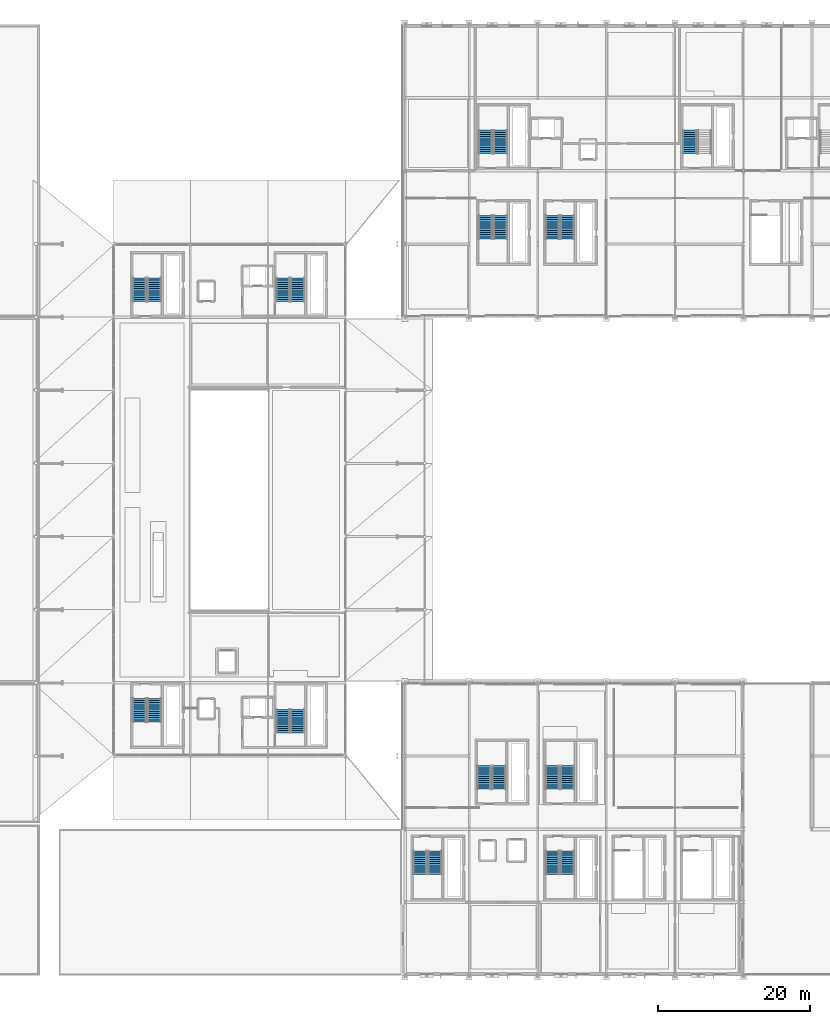
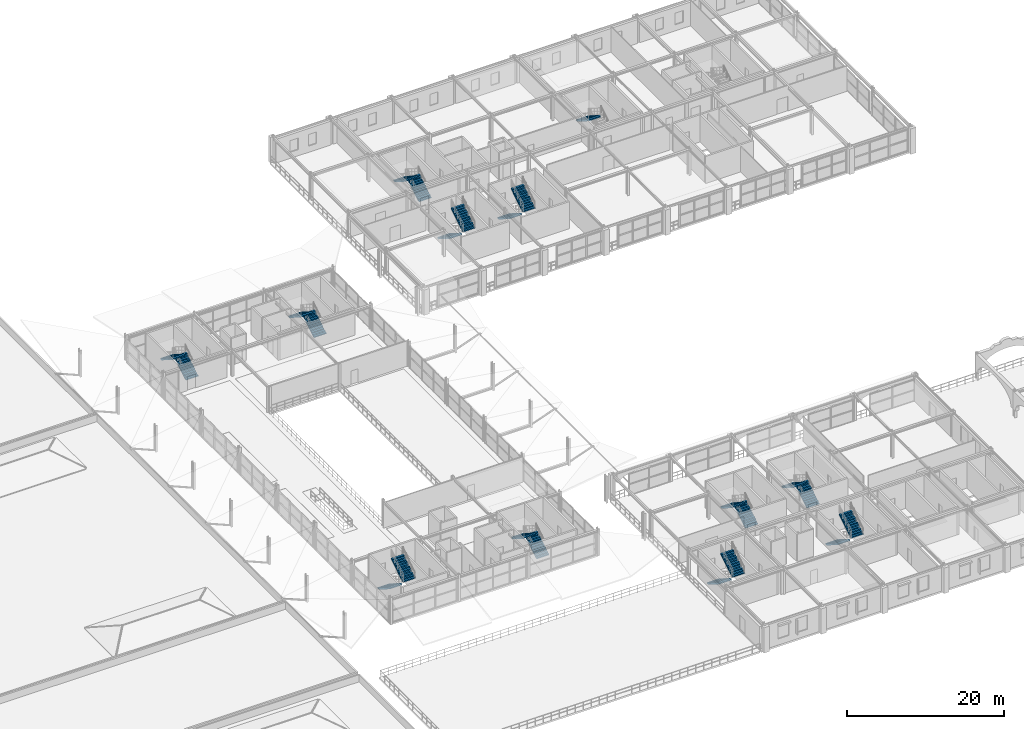
# One storey, part 54 of 81: 23 stair flights, 12 elements without a shape of their own.
"""IFC4 building model written with IfcOpenShell, lengths in metres."""

from ifc_helpers import new_model, si_unit, direction, frame, origin, place, context, subcontext, project, spatial, polyline, outline, extrude, material, type_object, element, aggregate, save


model = new_model("IFC4")

# Units and contexts
model_context = context("Model", 3, precision=1e-05, world=origin(), true_north=direction((0.0, 1.0)))
body_context = subcontext(model_context, "Body", "Model", "MODEL_VIEW")
ifc_project = project(units=[si_unit("LENGTHUNIT", "METRE"), si_unit("AREAUNIT", "SQUARE_METRE"), si_unit("VOLUMEUNIT", "CUBIC_METRE"), si_unit("PLANEANGLEUNIT", "RADIAN"), si_unit("MASSUNIT", "GRAM", prefix="KILO")], contexts=[model_context])

# Site, building, storey
site_placement = place(None, origin())
site = spatial("IfcSite", under=ifc_project, at=site_placement, CompositionType="ELEMENT")
building_placement = place(site_placement, origin())
building = spatial("IfcBuilding", under=site, at=building_placement, Name="Myrtia Square Station", CompositionType="ELEMENT")
storey_placement = place(building_placement, frame((0.0, 0.0, 10.800048828125)))
storey = spatial("IfcBuildingStorey", under=building, at=storey_placement, Name="L02", CompositionType="ELEMENT", Elevation=10.800048828125)

# Stair, stair flights
ifc_material = material(Name="Concrete C35/45", Category="concrete")
stair_type = type_object("IfcStairType", Name="STR-04-24R-1800W", PredefinedType="HALF_TURN_STAIR", material=ifc_material)
stair_1_placement = place(storey_placement, origin())
stair_1 = element("IfcStair", 1, at=stair_1_placement, inside=storey, type_object=stair_type, Name="L02 Core escape stair ST01", PredefinedType="HALF_TURN_STAIR")
stair_flight_type = type_object("IfcStairFlightType", Name="STF-04-12R-1800W", PredefinedType="STRAIGHT", material=ifc_material)
stair_flight_1_placement = place(storey_placement, frame((82.75, 36.35009765625, 0.0), z_axis=(0.0, 0.0, 1.0), x_axis=(0.0, -1.0, 0.0)))
stair_flight_1 = element("IfcStairFlight", 2, at=stair_flight_1_placement, type_object=stair_flight_type, Name="ST01 flight 1", NumberOfRisers=12, NumberOfTreads=11, PredefinedType="STRAIGHT", RiserHeight=0.175, TreadLength=0.28, context=body_context, shape_type="SweptSolid", body=[
    extrude(outline(polyline([(0.0, 0.0), (0.0, 0.175048828125), (0.280029296875, 0.175048828125), (0.280029296875, 0.35009765625), (0.56005859375, 0.35009765625), (0.56005859375, 0.52490234375), (0.840087890625, 0.52490234375), (0.840087890625, 0.699951171875), (1.1201171875, 0.699951171875), (1.1201171875, 0.875), (1.39990234375, 0.875), (1.39990234375, 1.050048828125), (1.679931640625, 1.050048828125), (1.679931640625, 1.22509765625), (1.9599609375, 1.22509765625), (1.9599609375, 1.39990234375), (2.239990234375, 1.39990234375), (2.239990234375, 1.574951171875), (2.52001953125, 1.574951171875), (2.52001953125, 1.75), (2.800048828125, 1.75), (2.800048828125, 1.925048828125), (3.080078125, 1.925048828125), (3.080078125, 2.10009765625), (3.080078125, 1.748291015625), (0.28271484375, 0.0), (0.0, 0.0)])), frame((0.0, 0.89990234375, 0.0), z_axis=(0.0, -1.0, 0.0), x_axis=(1.0, 0.0, 0.0)), (0.0, 0.0, 1.0), 1.800048828125),
])
stair_flight_2_placement = place(storey_placement, frame((84.7099609375, 33.27001953125, 2.099853515625), z_axis=(0.0, 0.0, 1.0), x_axis=(0.0, 1.0, 0.0)))
stair_flight_2 = element("IfcStairFlight", 3, at=stair_flight_2_placement, type_object=stair_flight_type, Name="ST01 flight 2", NumberOfRisers=12, NumberOfTreads=11, PredefinedType="STRAIGHT", RiserHeight=0.175, TreadLength=0.28, context=body_context, shape_type="SweptSolid", body=[
    extrude(outline(polyline([(0.0, 0.0), (0.0, 0.175048828125), (0.280029296875, 0.175048828125), (0.280029296875, 0.35009765625), (0.56005859375, 0.35009765625), (0.56005859375, 0.52490234375), (0.840087890625, 0.52490234375), (0.840087890625, 0.699951171875), (1.1201171875, 0.699951171875), (1.1201171875, 0.875), (1.39990234375, 0.875), (1.39990234375, 1.050048828125), (1.679931640625, 1.050048828125), (1.679931640625, 1.22509765625), (1.9599609375, 1.22509765625), (1.9599609375, 1.39990234375), (2.239990234375, 1.39990234375), (2.239990234375, 1.574951171875), (2.52001953125, 1.574951171875), (2.52001953125, 1.75), (2.800048828125, 1.75), (2.800048828125, 1.925048828125), (3.080078125, 1.925048828125), (3.080078125, 2.10009765625), (3.080078125, 1.748291015625), (0.28271484375, 0.0), (0.0, 0.0)])), frame((0.0, 0.89990234375, 0.0), z_axis=(0.0, -1.0, 0.0), x_axis=(1.0, 0.0, 0.0)), (0.0, 0.0, 1.0), 1.800048828125),
])
aggregate(stair_1, [stair_flight_1, stair_flight_2])

stair_2_placement = place(storey_placement, origin())
stair_2 = element("IfcStair", 4, at=stair_2_placement, inside=storey, type_object=stair_type, Name="L02 Core escape stair ST02", PredefinedType="HALF_TURN_STAIR")
stair_flight_3_placement = place(storey_placement, frame((84.7099609375, 88.449951171875, 0.0), z_axis=(0.0, 0.0, 1.0), x_axis=(0.0, 1.0, 0.0)))
stair_flight_3 = element("IfcStairFlight", 5, at=stair_flight_3_placement, type_object=stair_flight_type, Name="ST02 flight 1", NumberOfRisers=12, NumberOfTreads=11, PredefinedType="STRAIGHT", RiserHeight=0.175, TreadLength=0.28, context=body_context, shape_type="SweptSolid", body=[
    extrude(outline(polyline([(0.0, 0.0), (0.0, 0.175048828125), (0.280029296875, 0.175048828125), (0.280029296875, 0.35009765625), (0.56005859375, 0.35009765625), (0.56005859375, 0.52490234375), (0.840087890625, 0.52490234375), (0.840087890625, 0.699951171875), (1.1201171875, 0.699951171875), (1.1201171875, 0.875), (1.39990234375, 0.875), (1.39990234375, 1.050048828125), (1.679931640625, 1.050048828125), (1.679931640625, 1.22509765625), (1.9599609375, 1.22509765625), (1.9599609375, 1.39990234375), (2.239990234375, 1.39990234375), (2.239990234375, 1.574951171875), (2.52001953125, 1.574951171875), (2.52001953125, 1.75), (2.800048828125, 1.75), (2.800048828125, 1.925048828125), (3.080078125, 1.925048828125), (3.080078125, 2.10009765625), (3.080078125, 1.748291015625), (0.28271484375, 0.0), (0.0, 0.0)])), frame((0.0, 0.89990234375, 0.0), z_axis=(0.0, -1.0, 0.0), x_axis=(1.0, 0.0, 0.0)), (0.0, 0.0, 1.0), 1.800048828125),
])
stair_flight_4_placement = place(storey_placement, frame((82.75, 91.530029296875, 2.099853515625), z_axis=(0.0, 0.0, 1.0), x_axis=(0.0, -1.0, 0.0)))
stair_flight_4 = element("IfcStairFlight", 6, at=stair_flight_4_placement, type_object=stair_flight_type, Name="ST02 flight 2", NumberOfRisers=12, NumberOfTreads=11, PredefinedType="STRAIGHT", RiserHeight=0.175, TreadLength=0.28, context=body_context, shape_type="SweptSolid", body=[
    extrude(outline(polyline([(0.0, 0.0), (0.0, 0.175048828125), (0.280029296875, 0.175048828125), (0.280029296875, 0.35009765625), (0.56005859375, 0.35009765625), (0.56005859375, 0.52490234375), (0.840087890625, 0.52490234375), (0.840087890625, 0.699951171875), (1.1201171875, 0.699951171875), (1.1201171875, 0.875), (1.39990234375, 0.875), (1.39990234375, 1.050048828125), (1.679931640625, 1.050048828125), (1.679931640625, 1.22509765625), (1.9599609375, 1.22509765625), (1.9599609375, 1.39990234375), (2.239990234375, 1.39990234375), (2.239990234375, 1.574951171875), (2.52001953125, 1.574951171875), (2.52001953125, 1.75), (2.800048828125, 1.75), (2.800048828125, 1.925048828125), (3.080078125, 1.925048828125), (3.080078125, 2.10009765625), (3.080078125, 1.748291015625), (0.28271484375, 0.0), (0.0, 0.0)])), frame((0.0, 0.89990234375, 0.0), z_axis=(0.0, -1.0, 0.0), x_axis=(1.0, 0.0, 0.0)), (0.0, 0.0, 1.0), 1.800048828125),
])
aggregate(stair_2, [stair_flight_3, stair_flight_4])

stair_3_placement = place(storey_placement, origin())
stair_3 = element("IfcStair", 7, at=stair_3_placement, inside=storey, type_object=stair_type, Name="L02 Core escape stair ST03", PredefinedType="HALF_TURN_STAIR")
stair_flight_5_placement = place(storey_placement, frame((103.510009765625, 31.85009765625, 0.0), z_axis=(0.0, 0.0, 1.0), x_axis=(0.0, 1.0, 0.0)))
stair_flight_5 = element("IfcStairFlight", 8, at=stair_flight_5_placement, type_object=stair_flight_type, Name="ST03 flight 1", NumberOfRisers=12, NumberOfTreads=11, PredefinedType="STRAIGHT", RiserHeight=0.175, TreadLength=0.28, context=body_context, shape_type="SweptSolid", body=[
    extrude(outline(polyline([(0.0, 0.0), (0.0, 0.175048828125), (0.280029296875, 0.175048828125), (0.280029296875, 0.35009765625), (0.56005859375, 0.35009765625), (0.56005859375, 0.52490234375), (0.840087890625, 0.52490234375), (0.840087890625, 0.699951171875), (1.1201171875, 0.699951171875), (1.1201171875, 0.875), (1.39990234375, 0.875), (1.39990234375, 1.050048828125), (1.679931640625, 1.050048828125), (1.679931640625, 1.22509765625), (1.9599609375, 1.22509765625), (1.9599609375, 1.39990234375), (2.239990234375, 1.39990234375), (2.239990234375, 1.574951171875), (2.52001953125, 1.574951171875), (2.52001953125, 1.75), (2.800048828125, 1.75), (2.800048828125, 1.925048828125), (3.080078125, 1.925048828125), (3.080078125, 2.10009765625), (3.080078125, 1.748291015625), (0.28271484375, 0.0), (0.0, 0.0)])), frame((0.0, 0.89990234375, 0.0), z_axis=(0.0, -1.0, 0.0), x_axis=(1.0, 0.0, 0.0)), (0.0, 0.0, 1.0), 1.800048828125),
])
stair_flight_6_placement = place(storey_placement, frame((101.550048828125, 34.929931640625, 2.099853515625), z_axis=(0.0, 0.0, 1.0), x_axis=(0.0, -1.0, 0.0)))
stair_flight_6 = element("IfcStairFlight", 9, at=stair_flight_6_placement, type_object=stair_flight_type, Name="ST03 flight 2", NumberOfRisers=12, NumberOfTreads=11, PredefinedType="STRAIGHT", RiserHeight=0.175, TreadLength=0.28, context=body_context, shape_type="SweptSolid", body=[
    extrude(outline(polyline([(0.0, 0.0), (0.0, 0.175048828125), (0.280029296875, 0.175048828125), (0.280029296875, 0.35009765625), (0.56005859375, 0.35009765625), (0.56005859375, 0.52490234375), (0.840087890625, 0.52490234375), (0.840087890625, 0.699951171875), (1.1201171875, 0.699951171875), (1.1201171875, 0.875), (1.39990234375, 0.875), (1.39990234375, 1.050048828125), (1.679931640625, 1.050048828125), (1.679931640625, 1.22509765625), (1.9599609375, 1.22509765625), (1.9599609375, 1.39990234375), (2.239990234375, 1.39990234375), (2.239990234375, 1.574951171875), (2.52001953125, 1.574951171875), (2.52001953125, 1.75), (2.800048828125, 1.75), (2.800048828125, 1.925048828125), (3.080078125, 1.925048828125), (3.080078125, 2.10009765625), (3.080078125, 1.748291015625), (0.28271484375, 0.0), (0.0, 0.0)])), frame((0.0, 0.89990234375, 0.0), z_axis=(0.0, -1.0, 0.0), x_axis=(1.0, 0.0, 0.0)), (0.0, 0.0, 1.0), 1.800048828125),
])
aggregate(stair_3, [stair_flight_5, stair_flight_6])

stair_4_placement = place(storey_placement, origin())
stair_4 = element("IfcStair", 10, at=stair_4_placement, inside=storey, type_object=stair_type, Name="L02 Core escape stair ST04", PredefinedType="HALF_TURN_STAIR")
stair_flight_7_placement = place(storey_placement, frame((103.510009765625, 88.449951171875, 0.0), z_axis=(0.0, 0.0, 1.0), x_axis=(0.0, 1.0, 0.0)))
stair_flight_7 = element("IfcStairFlight", 11, at=stair_flight_7_placement, type_object=stair_flight_type, Name="ST04 flight 1", NumberOfRisers=12, NumberOfTreads=11, PredefinedType="STRAIGHT", RiserHeight=0.175, TreadLength=0.28, context=body_context, shape_type="SweptSolid", body=[
    extrude(outline(polyline([(0.0, 0.0), (0.0, 0.175048828125), (0.280029296875, 0.175048828125), (0.280029296875, 0.35009765625), (0.56005859375, 0.35009765625), (0.56005859375, 0.52490234375), (0.840087890625, 0.52490234375), (0.840087890625, 0.699951171875), (1.1201171875, 0.699951171875), (1.1201171875, 0.875), (1.39990234375, 0.875), (1.39990234375, 1.050048828125), (1.679931640625, 1.050048828125), (1.679931640625, 1.22509765625), (1.9599609375, 1.22509765625), (1.9599609375, 1.39990234375), (2.239990234375, 1.39990234375), (2.239990234375, 1.574951171875), (2.52001953125, 1.574951171875), (2.52001953125, 1.75), (2.800048828125, 1.75), (2.800048828125, 1.925048828125), (3.080078125, 1.925048828125), (3.080078125, 2.10009765625), (3.080078125, 1.748291015625), (0.28271484375, 0.0), (0.0, 0.0)])), frame((0.0, 0.89990234375, 0.0), z_axis=(0.0, -1.0, 0.0), x_axis=(1.0, 0.0, 0.0)), (0.0, 0.0, 1.0), 1.800048828125),
])
stair_flight_8_placement = place(storey_placement, frame((101.550048828125, 91.530029296875, 2.099853515625), z_axis=(0.0, 0.0, 1.0), x_axis=(0.0, -1.0, 0.0)))
stair_flight_8 = element("IfcStairFlight", 12, at=stair_flight_8_placement, type_object=stair_flight_type, Name="ST04 flight 2", NumberOfRisers=12, NumberOfTreads=11, PredefinedType="STRAIGHT", RiserHeight=0.175, TreadLength=0.28, context=body_context, shape_type="SweptSolid", body=[
    extrude(outline(polyline([(0.0, 0.0), (0.0, 0.175048828125), (0.280029296875, 0.175048828125), (0.280029296875, 0.35009765625), (0.56005859375, 0.35009765625), (0.56005859375, 0.52490234375), (0.840087890625, 0.52490234375), (0.840087890625, 0.699951171875), (1.1201171875, 0.699951171875), (1.1201171875, 0.875), (1.39990234375, 0.875), (1.39990234375, 1.050048828125), (1.679931640625, 1.050048828125), (1.679931640625, 1.22509765625), (1.9599609375, 1.22509765625), (1.9599609375, 1.39990234375), (2.239990234375, 1.39990234375), (2.239990234375, 1.574951171875), (2.52001953125, 1.574951171875), (2.52001953125, 1.75), (2.800048828125, 1.75), (2.800048828125, 1.925048828125), (3.080078125, 1.925048828125), (3.080078125, 2.10009765625), (3.080078125, 1.748291015625), (0.28271484375, 0.0), (0.0, 0.0)])), frame((0.0, 0.89990234375, 0.0), z_axis=(0.0, -1.0, 0.0), x_axis=(1.0, 0.0, 0.0)), (0.0, 0.0, 1.0), 1.800048828125),
])
aggregate(stair_4, [stair_flight_7, stair_flight_8])

stair_5_placement = place(storey_placement, origin())
stair_5 = element("IfcStair", 13, at=stair_5_placement, inside=storey, type_object=stair_type, Name="L02 Core escape stair ST05", PredefinedType="HALF_TURN_STAIR")
stair_flight_9_placement = place(storey_placement, frame((119.550048828125, 16.35009765625, 0.0), z_axis=(0.0, 0.0, 1.0), x_axis=(0.0, -1.0, 0.0)))
stair_flight_9 = element("IfcStairFlight", 14, at=stair_flight_9_placement, type_object=stair_flight_type, Name="ST05 flight 1", NumberOfRisers=12, NumberOfTreads=11, PredefinedType="STRAIGHT", RiserHeight=0.175, TreadLength=0.28, context=body_context, shape_type="SweptSolid", body=[
    extrude(outline(polyline([(0.0, 0.0), (0.0, 0.175048828125), (0.280029296875, 0.175048828125), (0.280029296875, 0.35009765625), (0.56005859375, 0.35009765625), (0.56005859375, 0.52490234375), (0.840087890625, 0.52490234375), (0.840087890625, 0.699951171875), (1.1201171875, 0.699951171875), (1.1201171875, 0.875), (1.39990234375, 0.875), (1.39990234375, 1.050048828125), (1.679931640625, 1.050048828125), (1.679931640625, 1.22509765625), (1.9599609375, 1.22509765625), (1.9599609375, 1.39990234375), (2.239990234375, 1.39990234375), (2.239990234375, 1.574951171875), (2.52001953125, 1.574951171875), (2.52001953125, 1.75), (2.800048828125, 1.75), (2.800048828125, 1.925048828125), (3.080078125, 1.925048828125), (3.080078125, 2.10009765625), (3.080078125, 1.748291015625), (0.28271484375, 0.0), (0.0, 0.0)])), frame((0.0, 0.89990234375, 0.0), z_axis=(0.0, -1.0, 0.0), x_axis=(1.0, 0.0, 0.0)), (0.0, 0.0, 1.0), 1.800048828125),
])
stair_flight_10_placement = place(storey_placement, frame((121.510009765625, 13.27001953125, 2.099853515625), z_axis=(0.0, 0.0, 1.0), x_axis=(0.0, 1.0, 0.0)))
stair_flight_10 = element("IfcStairFlight", 15, at=stair_flight_10_placement, type_object=stair_flight_type, Name="ST05 flight 2", NumberOfRisers=12, NumberOfTreads=11, PredefinedType="STRAIGHT", RiserHeight=0.175, TreadLength=0.28, context=body_context, shape_type="SweptSolid", body=[
    extrude(outline(polyline([(0.0, 0.0), (0.0, 0.175048828125), (0.280029296875, 0.175048828125), (0.280029296875, 0.35009765625), (0.56005859375, 0.35009765625), (0.56005859375, 0.52490234375), (0.840087890625, 0.52490234375), (0.840087890625, 0.699951171875), (1.1201171875, 0.699951171875), (1.1201171875, 0.875), (1.39990234375, 0.875), (1.39990234375, 1.050048828125), (1.679931640625, 1.050048828125), (1.679931640625, 1.22509765625), (1.9599609375, 1.22509765625), (1.9599609375, 1.39990234375), (2.239990234375, 1.39990234375), (2.239990234375, 1.574951171875), (2.52001953125, 1.574951171875), (2.52001953125, 1.75), (2.800048828125, 1.75), (2.800048828125, 1.925048828125), (3.080078125, 1.925048828125), (3.080078125, 2.10009765625), (3.080078125, 1.748291015625), (0.28271484375, 0.0), (0.0, 0.0)])), frame((0.0, 0.89990234375, 0.0), z_axis=(0.0, -1.0, 0.0), x_axis=(1.0, 0.0, 0.0)), (0.0, 0.0, 1.0), 1.800048828125),
])
aggregate(stair_5, [stair_flight_9, stair_flight_10])

stair_6_placement = place(storey_placement, origin())
stair_6 = element("IfcStair", 16, at=stair_6_placement, inside=storey, type_object=stair_type, Name="L02 Core escape stair ST06", PredefinedType="HALF_TURN_STAIR")
stair_flight_11_placement = place(storey_placement, frame((136.949951171875, 16.35009765625, 0.0), z_axis=(0.0, 0.0, 1.0), x_axis=(0.0, -1.0, 0.0)))
stair_flight_11 = element("IfcStairFlight", 17, at=stair_flight_11_placement, type_object=stair_flight_type, Name="ST06 flight 1", NumberOfRisers=12, NumberOfTreads=11, PredefinedType="STRAIGHT", RiserHeight=0.175, TreadLength=0.28, context=body_context, shape_type="SweptSolid", body=[
    extrude(outline(polyline([(0.0, 0.0), (0.0, 0.175048828125), (0.280029296875, 0.175048828125), (0.280029296875, 0.35009765625), (0.56005859375, 0.35009765625), (0.56005859375, 0.52490234375), (0.840087890625, 0.52490234375), (0.840087890625, 0.699951171875), (1.1201171875, 0.699951171875), (1.1201171875, 0.875), (1.39990234375, 0.875), (1.39990234375, 1.050048828125), (1.679931640625, 1.050048828125), (1.679931640625, 1.22509765625), (1.9599609375, 1.22509765625), (1.9599609375, 1.39990234375), (2.239990234375, 1.39990234375), (2.239990234375, 1.574951171875), (2.52001953125, 1.574951171875), (2.52001953125, 1.75), (2.800048828125, 1.75), (2.800048828125, 1.925048828125), (3.080078125, 1.925048828125), (3.080078125, 2.10009765625), (3.080078125, 1.748291015625), (0.28271484375, 0.0), (0.0, 0.0)])), frame((0.0, 0.89990234375, 0.0), z_axis=(0.0, -1.0, 0.0), x_axis=(1.0, 0.0, 0.0)), (0.0, 0.0, 1.0), 1.800048828125),
])
stair_flight_12_placement = place(storey_placement, frame((138.909912109375, 13.27001953125, 2.099853515625), z_axis=(0.0, 0.0, 1.0), x_axis=(0.0, 1.0, 0.0)))
stair_flight_12 = element("IfcStairFlight", 18, at=stair_flight_12_placement, type_object=stair_flight_type, Name="ST06 flight 2", NumberOfRisers=12, NumberOfTreads=11, PredefinedType="STRAIGHT", RiserHeight=0.175, TreadLength=0.28, context=body_context, shape_type="SweptSolid", body=[
    extrude(outline(polyline([(0.0, 0.0), (0.0, 0.175048828125), (0.280029296875, 0.175048828125), (0.280029296875, 0.35009765625), (0.56005859375, 0.35009765625), (0.56005859375, 0.52490234375), (0.840087890625, 0.52490234375), (0.840087890625, 0.699951171875), (1.1201171875, 0.699951171875), (1.1201171875, 0.875), (1.39990234375, 0.875), (1.39990234375, 1.050048828125), (1.679931640625, 1.050048828125), (1.679931640625, 1.22509765625), (1.9599609375, 1.22509765625), (1.9599609375, 1.39990234375), (2.239990234375, 1.39990234375), (2.239990234375, 1.574951171875), (2.52001953125, 1.574951171875), (2.52001953125, 1.75), (2.800048828125, 1.75), (2.800048828125, 1.925048828125), (3.080078125, 1.925048828125), (3.080078125, 2.10009765625), (3.080078125, 1.748291015625), (0.28271484375, 0.0), (0.0, 0.0)])), frame((0.0, 0.89990234375, 0.0), z_axis=(0.0, -1.0, 0.0), x_axis=(1.0, 0.0, 0.0)), (0.0, 0.0, 1.0), 1.800048828125),
])
aggregate(stair_6, [stair_flight_11, stair_flight_12])

stair_7_placement = place(storey_placement, origin())
stair_7 = element("IfcStair", 19, at=stair_7_placement, inside=storey, type_object=stair_type, Name="L02 Core escape stair ST09", PredefinedType="HALF_TURN_STAIR")
stair_flight_13_placement = place(storey_placement, frame((138.909912109375, 24.449951171875, 0.0), z_axis=(0.0, 0.0, 1.0), x_axis=(0.0, 1.0, 0.0)))
stair_flight_13 = element("IfcStairFlight", 20, at=stair_flight_13_placement, type_object=stair_flight_type, Name="ST09 flight 1", NumberOfRisers=12, NumberOfTreads=11, PredefinedType="STRAIGHT", RiserHeight=0.175, TreadLength=0.28, context=body_context, shape_type="SweptSolid", body=[
    extrude(outline(polyline([(0.0, 0.0), (0.0, 0.175048828125), (0.280029296875, 0.175048828125), (0.280029296875, 0.35009765625), (0.56005859375, 0.35009765625), (0.56005859375, 0.52490234375), (0.840087890625, 0.52490234375), (0.840087890625, 0.699951171875), (1.1201171875, 0.699951171875), (1.1201171875, 0.875), (1.39990234375, 0.875), (1.39990234375, 1.050048828125), (1.679931640625, 1.050048828125), (1.679931640625, 1.22509765625), (1.9599609375, 1.22509765625), (1.9599609375, 1.39990234375), (2.239990234375, 1.39990234375), (2.239990234375, 1.574951171875), (2.52001953125, 1.574951171875), (2.52001953125, 1.75), (2.800048828125, 1.75), (2.800048828125, 1.925048828125), (3.080078125, 1.925048828125), (3.080078125, 2.10009765625), (3.080078125, 1.748291015625), (0.28271484375, 0.0), (0.0, 0.0)])), frame((0.0, 0.89990234375, 0.0), z_axis=(0.0, -1.0, 0.0), x_axis=(1.0, 0.0, 0.0)), (0.0, 0.0, 1.0), 1.800048828125),
])
stair_flight_14_placement = place(storey_placement, frame((136.949951171875, 27.530029296875, 2.099853515625), z_axis=(0.0, 0.0, 1.0), x_axis=(0.0, -1.0, 0.0)))
stair_flight_14 = element("IfcStairFlight", 21, at=stair_flight_14_placement, type_object=stair_flight_type, Name="ST09 flight 2", NumberOfRisers=12, NumberOfTreads=11, PredefinedType="STRAIGHT", RiserHeight=0.175, TreadLength=0.28, context=body_context, shape_type="SweptSolid", body=[
    extrude(outline(polyline([(0.0, 0.0), (0.0, 0.175048828125), (0.280029296875, 0.175048828125), (0.280029296875, 0.35009765625), (0.56005859375, 0.35009765625), (0.56005859375, 0.52490234375), (0.840087890625, 0.52490234375), (0.840087890625, 0.699951171875), (1.1201171875, 0.699951171875), (1.1201171875, 0.875), (1.39990234375, 0.875), (1.39990234375, 1.050048828125), (1.679931640625, 1.050048828125), (1.679931640625, 1.22509765625), (1.9599609375, 1.22509765625), (1.9599609375, 1.39990234375), (2.239990234375, 1.39990234375), (2.239990234375, 1.574951171875), (2.52001953125, 1.574951171875), (2.52001953125, 1.75), (2.800048828125, 1.75), (2.800048828125, 1.925048828125), (3.080078125, 1.925048828125), (3.080078125, 2.10009765625), (3.080078125, 1.748291015625), (0.28271484375, 0.0), (0.0, 0.0)])), frame((0.0, 0.89990234375, 0.0), z_axis=(0.0, -1.0, 0.0), x_axis=(1.0, 0.0, 0.0)), (0.0, 0.0, 1.0), 1.800048828125),
])
aggregate(stair_7, [stair_flight_13, stair_flight_14])

stair_8_placement = place(storey_placement, origin())
stair_8 = element("IfcStair", 22, at=stair_8_placement, inside=storey, type_object=stair_type, Name="L02 Core escape stair ST10", PredefinedType="HALF_TURN_STAIR")
stair_flight_15_placement = place(storey_placement, frame((129.909912109375, 24.449951171875, 0.0), z_axis=(0.0, 0.0, 1.0), x_axis=(0.0, 1.0, 0.0)))
stair_flight_15 = element("IfcStairFlight", 23, at=stair_flight_15_placement, type_object=stair_flight_type, Name="ST10 flight 1", NumberOfRisers=12, NumberOfTreads=11, PredefinedType="STRAIGHT", RiserHeight=0.175, TreadLength=0.28, context=body_context, shape_type="SweptSolid", body=[
    extrude(outline(polyline([(0.0, 0.0), (0.0, 0.175048828125), (0.280029296875, 0.175048828125), (0.280029296875, 0.35009765625), (0.56005859375, 0.35009765625), (0.56005859375, 0.52490234375), (0.840087890625, 0.52490234375), (0.840087890625, 0.699951171875), (1.1201171875, 0.699951171875), (1.1201171875, 0.875), (1.39990234375, 0.875), (1.39990234375, 1.050048828125), (1.679931640625, 1.050048828125), (1.679931640625, 1.22509765625), (1.9599609375, 1.22509765625), (1.9599609375, 1.39990234375), (2.239990234375, 1.39990234375), (2.239990234375, 1.574951171875), (2.52001953125, 1.574951171875), (2.52001953125, 1.75), (2.800048828125, 1.75), (2.800048828125, 1.925048828125), (3.080078125, 1.925048828125), (3.080078125, 2.10009765625), (3.080078125, 1.748291015625), (0.28271484375, 0.0), (0.0, 0.0)])), frame((0.0, 0.89990234375, 0.0), z_axis=(0.0, -1.0, 0.0), x_axis=(1.0, 0.0, 0.0)), (0.0, 0.0, 1.0), 1.800048828125),
])
stair_flight_16_placement = place(storey_placement, frame((127.949951171875, 27.530029296875, 2.099853515625), z_axis=(0.0, 0.0, 1.0), x_axis=(0.0, -1.0, 0.0)))
stair_flight_16 = element("IfcStairFlight", 24, at=stair_flight_16_placement, type_object=stair_flight_type, Name="ST10 flight 2", NumberOfRisers=12, NumberOfTreads=11, PredefinedType="STRAIGHT", RiserHeight=0.175, TreadLength=0.28, context=body_context, shape_type="SweptSolid", body=[
    extrude(outline(polyline([(0.0, 0.0), (0.0, 0.175048828125), (0.280029296875, 0.175048828125), (0.280029296875, 0.35009765625), (0.56005859375, 0.35009765625), (0.56005859375, 0.52490234375), (0.840087890625, 0.52490234375), (0.840087890625, 0.699951171875), (1.1201171875, 0.699951171875), (1.1201171875, 0.875), (1.39990234375, 0.875), (1.39990234375, 1.050048828125), (1.679931640625, 1.050048828125), (1.679931640625, 1.22509765625), (1.9599609375, 1.22509765625), (1.9599609375, 1.39990234375), (2.239990234375, 1.39990234375), (2.239990234375, 1.574951171875), (2.52001953125, 1.574951171875), (2.52001953125, 1.75), (2.800048828125, 1.75), (2.800048828125, 1.925048828125), (3.080078125, 1.925048828125), (3.080078125, 2.10009765625), (3.080078125, 1.748291015625), (0.28271484375, 0.0), (0.0, 0.0)])), frame((0.0, 0.89990234375, 0.0), z_axis=(0.0, -1.0, 0.0), x_axis=(1.0, 0.0, 0.0)), (0.0, 0.0, 1.0), 1.800048828125),
])
aggregate(stair_8, [stair_flight_15, stair_flight_16])

stair_9_placement = place(storey_placement, origin())
stair_9 = element("IfcStair", 25, at=stair_9_placement, inside=storey, type_object=stair_type, Name="L02 Core escape stair ST07", PredefinedType="HALF_TURN_STAIR")
stair_flight_17_placement = place(storey_placement, frame((130.110107421875, 107.85009765625, 0.0), z_axis=(0.0, 0.0, 1.0), x_axis=(0.0, 1.0, 0.0)))
stair_flight_17 = element("IfcStairFlight", 26, at=stair_flight_17_placement, type_object=stair_flight_type, Name="ST07 flight 1", NumberOfRisers=12, NumberOfTreads=11, PredefinedType="STRAIGHT", RiserHeight=0.175, TreadLength=0.28, context=body_context, shape_type="SweptSolid", body=[
    extrude(outline(polyline([(0.0, 0.0), (0.0, 0.175048828125), (0.280029296875, 0.175048828125), (0.280029296875, 0.35009765625), (0.56005859375, 0.35009765625), (0.56005859375, 0.52490234375), (0.840087890625, 0.52490234375), (0.840087890625, 0.699951171875), (1.1201171875, 0.699951171875), (1.1201171875, 0.875), (1.39990234375, 0.875), (1.39990234375, 1.050048828125), (1.679931640625, 1.050048828125), (1.679931640625, 1.22509765625), (1.9599609375, 1.22509765625), (1.9599609375, 1.39990234375), (2.239990234375, 1.39990234375), (2.239990234375, 1.574951171875), (2.52001953125, 1.574951171875), (2.52001953125, 1.75), (2.800048828125, 1.75), (2.800048828125, 1.925048828125), (3.080078125, 1.925048828125), (3.080078125, 2.10009765625), (3.080078125, 1.748291015625), (0.28271484375, 0.0), (0.0, 0.0)])), frame((0.0, 0.89990234375, 0.0), z_axis=(0.0, -1.0, 0.0), x_axis=(1.0, 0.0, 0.0)), (0.0, 0.0, 1.0), 1.800048828125),
])
stair_flight_18_placement = place(storey_placement, frame((128.14990234375, 110.929931640625, 2.099853515625), z_axis=(0.0, 0.0, 1.0), x_axis=(0.0, -1.0, 0.0)))
stair_flight_18 = element("IfcStairFlight", 27, at=stair_flight_18_placement, type_object=stair_flight_type, Name="ST07 flight 2", NumberOfRisers=12, NumberOfTreads=11, PredefinedType="STRAIGHT", RiserHeight=0.175, TreadLength=0.28, context=body_context, shape_type="SweptSolid", body=[
    extrude(outline(polyline([(0.0, 0.0), (0.0, 0.175048828125), (0.280029296875, 0.175048828125), (0.280029296875, 0.35009765625), (0.56005859375, 0.35009765625), (0.56005859375, 0.52490234375), (0.840087890625, 0.52490234375), (0.840087890625, 0.699951171875), (1.1201171875, 0.699951171875), (1.1201171875, 0.875), (1.39990234375, 0.875), (1.39990234375, 1.050048828125), (1.679931640625, 1.050048828125), (1.679931640625, 1.22509765625), (1.9599609375, 1.22509765625), (1.9599609375, 1.39990234375), (2.239990234375, 1.39990234375), (2.239990234375, 1.574951171875), (2.52001953125, 1.574951171875), (2.52001953125, 1.75), (2.800048828125, 1.75), (2.800048828125, 1.925048828125), (3.080078125, 1.925048828125), (3.080078125, 2.10009765625), (3.080078125, 1.748291015625), (0.28271484375, 0.0), (0.0, 0.0)])), frame((0.0, 0.89990234375, 0.0), z_axis=(0.0, -1.0, 0.0), x_axis=(1.0, 0.0, 0.0)), (0.0, 0.0, 1.0), 1.800048828125),
])
aggregate(stair_9, [stair_flight_17, stair_flight_18])

stair_10_placement = place(storey_placement, origin())
stair_10 = element("IfcStair", 28, at=stair_10_placement, inside=storey, type_object=stair_type, Name="L02 Core escape stair ST12", PredefinedType="HALF_TURN_STAIR")
stair_flight_19_placement = place(storey_placement, frame((128.14990234375, 99.75, 0.0), z_axis=(0.0, 0.0, 1.0), x_axis=(0.0, -1.0, 0.0)))
stair_flight_19 = element("IfcStairFlight", 29, at=stair_flight_19_placement, type_object=stair_flight_type, Name="ST12 flight 1", NumberOfRisers=12, NumberOfTreads=11, PredefinedType="STRAIGHT", RiserHeight=0.175, TreadLength=0.28, context=body_context, shape_type="SweptSolid", body=[
    extrude(outline(polyline([(0.0, 0.0), (0.0, 0.175048828125), (0.280029296875, 0.175048828125), (0.280029296875, 0.35009765625), (0.56005859375, 0.35009765625), (0.56005859375, 0.52490234375), (0.840087890625, 0.52490234375), (0.840087890625, 0.699951171875), (1.1201171875, 0.699951171875), (1.1201171875, 0.875), (1.39990234375, 0.875), (1.39990234375, 1.050048828125), (1.679931640625, 1.050048828125), (1.679931640625, 1.22509765625), (1.9599609375, 1.22509765625), (1.9599609375, 1.39990234375), (2.239990234375, 1.39990234375), (2.239990234375, 1.574951171875), (2.52001953125, 1.574951171875), (2.52001953125, 1.75), (2.800048828125, 1.75), (2.800048828125, 1.925048828125), (3.080078125, 1.925048828125), (3.080078125, 2.10009765625), (3.080078125, 1.748291015625), (0.28271484375, 0.0), (0.0, 0.0)])), frame((0.0, 0.89990234375, 0.0), z_axis=(0.0, -1.0, 0.0), x_axis=(1.0, 0.0, 0.0)), (0.0, 0.0, 1.0), 1.800048828125),
])
stair_flight_20_placement = place(storey_placement, frame((130.110107421875, 96.669921875, 2.099853515625), z_axis=(0.0, 0.0, 1.0), x_axis=(0.0, 1.0, 0.0)))
stair_flight_20 = element("IfcStairFlight", 30, at=stair_flight_20_placement, type_object=stair_flight_type, Name="ST12 flight 2", NumberOfRisers=12, NumberOfTreads=11, PredefinedType="STRAIGHT", RiserHeight=0.175, TreadLength=0.28, context=body_context, shape_type="SweptSolid", body=[
    extrude(outline(polyline([(0.0, 0.0), (0.0, 0.175048828125), (0.280029296875, 0.175048828125), (0.280029296875, 0.35009765625), (0.56005859375, 0.35009765625), (0.56005859375, 0.52490234375), (0.840087890625, 0.52490234375), (0.840087890625, 0.699951171875), (1.1201171875, 0.699951171875), (1.1201171875, 0.875), (1.39990234375, 0.875), (1.39990234375, 1.050048828125), (1.679931640625, 1.050048828125), (1.679931640625, 1.22509765625), (1.9599609375, 1.22509765625), (1.9599609375, 1.39990234375), (2.239990234375, 1.39990234375), (2.239990234375, 1.574951171875), (2.52001953125, 1.574951171875), (2.52001953125, 1.75), (2.800048828125, 1.75), (2.800048828125, 1.925048828125), (3.080078125, 1.925048828125), (3.080078125, 2.10009765625), (3.080078125, 1.748291015625), (0.28271484375, 0.0), (0.0, 0.0)])), frame((0.0, 0.89990234375, 0.0), z_axis=(0.0, -1.0, 0.0), x_axis=(1.0, 0.0, 0.0)), (0.0, 0.0, 1.0), 1.800048828125),
])
aggregate(stair_10, [stair_flight_19, stair_flight_20])

stair_11_placement = place(storey_placement, origin())
stair_11 = element("IfcStair", 31, at=stair_11_placement, inside=storey, type_object=stair_type, Name="L02 Core escape stair ST13", PredefinedType="HALF_TURN_STAIR")
stair_flight_21_placement = place(storey_placement, frame((136.949951171875, 99.75, 0.0), z_axis=(0.0, 0.0, 1.0), x_axis=(0.0, -1.0, 0.0)))
stair_flight_21 = element("IfcStairFlight", 32, at=stair_flight_21_placement, type_object=stair_flight_type, Name="ST13 flight 1", NumberOfRisers=12, NumberOfTreads=11, PredefinedType="STRAIGHT", RiserHeight=0.175, TreadLength=0.28, context=body_context, shape_type="SweptSolid", body=[
    extrude(outline(polyline([(0.0, 0.0), (0.0, 0.175048828125), (0.280029296875, 0.175048828125), (0.280029296875, 0.35009765625), (0.56005859375, 0.35009765625), (0.56005859375, 0.52490234375), (0.840087890625, 0.52490234375), (0.840087890625, 0.699951171875), (1.1201171875, 0.699951171875), (1.1201171875, 0.875), (1.39990234375, 0.875), (1.39990234375, 1.050048828125), (1.679931640625, 1.050048828125), (1.679931640625, 1.22509765625), (1.9599609375, 1.22509765625), (1.9599609375, 1.39990234375), (2.239990234375, 1.39990234375), (2.239990234375, 1.574951171875), (2.52001953125, 1.574951171875), (2.52001953125, 1.75), (2.800048828125, 1.75), (2.800048828125, 1.925048828125), (3.080078125, 1.925048828125), (3.080078125, 2.10009765625), (3.080078125, 1.748291015625), (0.28271484375, 0.0), (0.0, 0.0)])), frame((0.0, 0.89990234375, 0.0), z_axis=(0.0, -1.0, 0.0), x_axis=(1.0, 0.0, 0.0)), (0.0, 0.0, 1.0), 1.800048828125),
])
stair_flight_22_placement = place(storey_placement, frame((138.909912109375, 96.669921875, 2.099853515625), z_axis=(0.0, 0.0, 1.0), x_axis=(0.0, 1.0, 0.0)))
stair_flight_22 = element("IfcStairFlight", 33, at=stair_flight_22_placement, type_object=stair_flight_type, Name="ST13 flight 2", NumberOfRisers=12, NumberOfTreads=11, PredefinedType="STRAIGHT", RiserHeight=0.175, TreadLength=0.28, context=body_context, shape_type="SweptSolid", body=[
    extrude(outline(polyline([(0.0, 0.0), (0.0, 0.175048828125), (0.280029296875, 0.175048828125), (0.280029296875, 0.35009765625), (0.56005859375, 0.35009765625), (0.56005859375, 0.52490234375), (0.840087890625, 0.52490234375), (0.840087890625, 0.699951171875), (1.1201171875, 0.699951171875), (1.1201171875, 0.875), (1.39990234375, 0.875), (1.39990234375, 1.050048828125), (1.679931640625, 1.050048828125), (1.679931640625, 1.22509765625), (1.9599609375, 1.22509765625), (1.9599609375, 1.39990234375), (2.239990234375, 1.39990234375), (2.239990234375, 1.574951171875), (2.52001953125, 1.574951171875), (2.52001953125, 1.75), (2.800048828125, 1.75), (2.800048828125, 1.925048828125), (3.080078125, 1.925048828125), (3.080078125, 2.10009765625), (3.080078125, 1.748291015625), (0.28271484375, 0.0), (0.0, 0.0)])), frame((0.0, 0.89990234375, 0.0), z_axis=(0.0, -1.0, 0.0), x_axis=(1.0, 0.0, 0.0)), (0.0, 0.0, 1.0), 1.800048828125),
])
aggregate(stair_11, [stair_flight_21, stair_flight_22])

# Stair, stair flight
stair_12_placement = place(storey_placement, origin())
stair_12 = element("IfcStair", 34, at=stair_12_placement, inside=storey, type_object=stair_type, Name="L02 Core escape stair ST15", PredefinedType="HALF_TURN_STAIR")
stair_flight_23_placement = place(storey_placement, frame((154.949951171875, 110.929931640625, 2.099853515625), z_axis=(0.0, 0.0, 1.0), x_axis=(0.0, -1.0, 0.0)))
stair_flight_23 = element("IfcStairFlight", 35, at=stair_flight_23_placement, type_object=stair_flight_type, Name="ST15 flight 2", NumberOfRisers=12, NumberOfTreads=11, PredefinedType="STRAIGHT", RiserHeight=0.175, TreadLength=0.28, context=body_context, shape_type="SweptSolid", body=[
    extrude(outline(polyline([(0.0, 0.0), (0.0, 0.175048828125), (0.280029296875, 0.175048828125), (0.280029296875, 0.35009765625), (0.56005859375, 0.35009765625), (0.56005859375, 0.52490234375), (0.840087890625, 0.52490234375), (0.840087890625, 0.699951171875), (1.1201171875, 0.699951171875), (1.1201171875, 0.875), (1.39990234375, 0.875), (1.39990234375, 1.050048828125), (1.679931640625, 1.050048828125), (1.679931640625, 1.22509765625), (1.9599609375, 1.22509765625), (1.9599609375, 1.39990234375), (2.239990234375, 1.39990234375), (2.239990234375, 1.574951171875), (2.52001953125, 1.574951171875), (2.52001953125, 1.75), (2.800048828125, 1.75), (2.800048828125, 1.925048828125), (3.080078125, 1.925048828125), (3.080078125, 2.10009765625), (3.080078125, 1.748291015625), (0.28271484375, 0.0), (0.0, 0.0)])), frame((0.0, 0.89990234375, 0.0), z_axis=(0.0, -1.0, 0.0), x_axis=(1.0, 0.0, 0.0)), (0.0, 0.0, 1.0), 1.800048828125),
])
aggregate(stair_12, [stair_flight_23])

save(model, "model.ifc")
